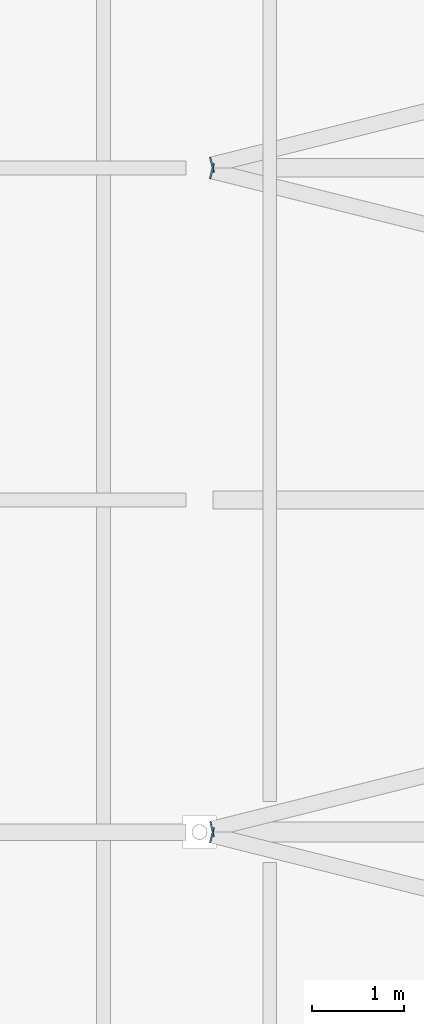
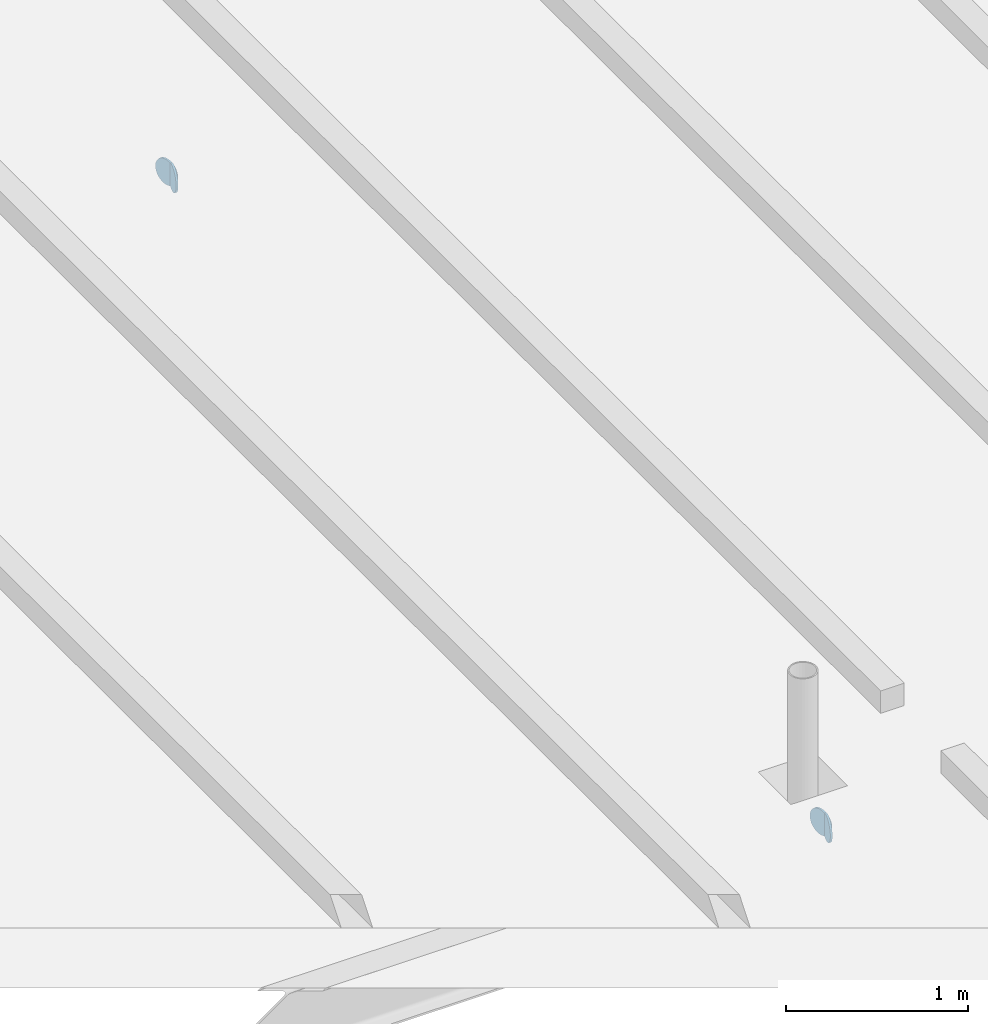
# One storey, part 71 of 120: 4 discrete accessories.
"""IFC4 building model written with IfcOpenShell, lengths in metres."""

from ifc_helpers import new_model, si_unit, direction, frame, origin, origin_2d, place, context, subcontext, project, spatial, circle, extrude, material, layer, layer_set, type_object, element, save


model = new_model("IFC4")

# Units and contexts
model_context = context("Model", 3, precision=1e-05, world=origin(), true_north=direction((0.0, 1.0)))
body_context = subcontext(model_context, "Body", "Model", "MODEL_VIEW")
ifc_project = project(units=[si_unit("LENGTHUNIT", "METRE"), si_unit("AREAUNIT", "SQUARE_METRE"), si_unit("VOLUMEUNIT", "CUBIC_METRE"), si_unit("PLANEANGLEUNIT", "RADIAN"), si_unit("MASSUNIT", "GRAM", prefix="KILO")], contexts=[model_context])

# Site, building, storey
site_placement = place(None, origin())
site = spatial("IfcSite", under=ifc_project, at=site_placement, CompositionType="ELEMENT")
building_placement = place(site_placement, origin())
building = spatial("IfcBuilding", under=site, at=building_placement, Name="Kupolbacken Congress Centre", CompositionType="ELEMENT")
storey_placement = place(building_placement, frame((0.0, 0.0, 21.60009765625)))
storey = spatial("IfcBuildingStorey", under=building, at=storey_placement, Name="L06", CompositionType="ELEMENT", Elevation=21.60009765625)

# Discrete accessories
ifc_material = material(Name="Steel S355", Category="steel")
ifc_layer = layer(ifc_material, 0.011962890625)
ifc_layer_set = layer_set([ifc_layer], Name="Steel S355")
discrete_accessory_type = type_object("IfcDiscreteAccessoryType", Name="EC2 tube end cap plate 168 dia x 12", PredefinedType="BRACKET", material=ifc_layer_set)
for number, where, z_axis, x_axis, name in (
    (1, (93.74072265625, 61.164794921875, -0.084228515625), (-0.970142500145, 0.242535625036, 0.0), (-0.242535625036, -0.970142500145, 0.0), "End cap plate HR/RB/01-04 B"),
    (2, (93.74072265625, 61.235107421875, -0.084228515625), (-0.974732318528, -0.223376156329, 0.0), (0.223376156329, -0.974732318528, 0.0), "End cap plate HR/RB/01-05 A"),
    (3, (93.74072265625, 68.36474609375, -0.084228515625), (-0.970142500145, 0.242535625036, 0.0), (-0.242535625036, -0.970142500145, 0.0), "End cap plate HR/RB/01-06 B"),
    (4, (93.74072265625, 68.435302734375, -0.084228515625), (-0.970142500145, -0.242535625036, 0.0), (0.242535625036, -0.970142500145, 0.0), "End cap plate HR/RB/01-07 A"),
):
    element("IfcDiscreteAccessory", number, at=place(storey_placement, frame(where, z_axis=z_axis, x_axis=x_axis)), inside=storey, type_object=discrete_accessory_type, Name=name, PredefinedType="BRACKET", context=body_context, shape_type="SweptSolid", body=[
        extrude(circle(Radius=0.084228515625, at=origin_2d()), origin(), (0.0, 0.0, 1.0), 0.011962890625),
    ])

save(model, "model.ifc")
